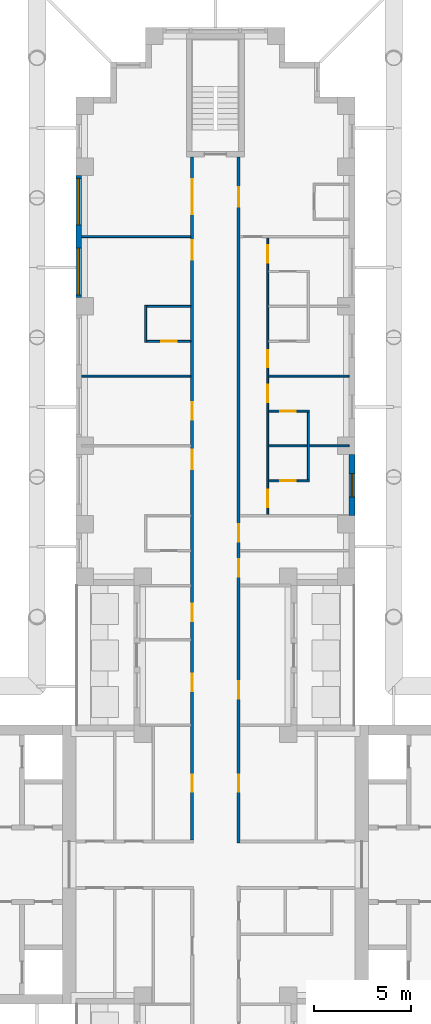
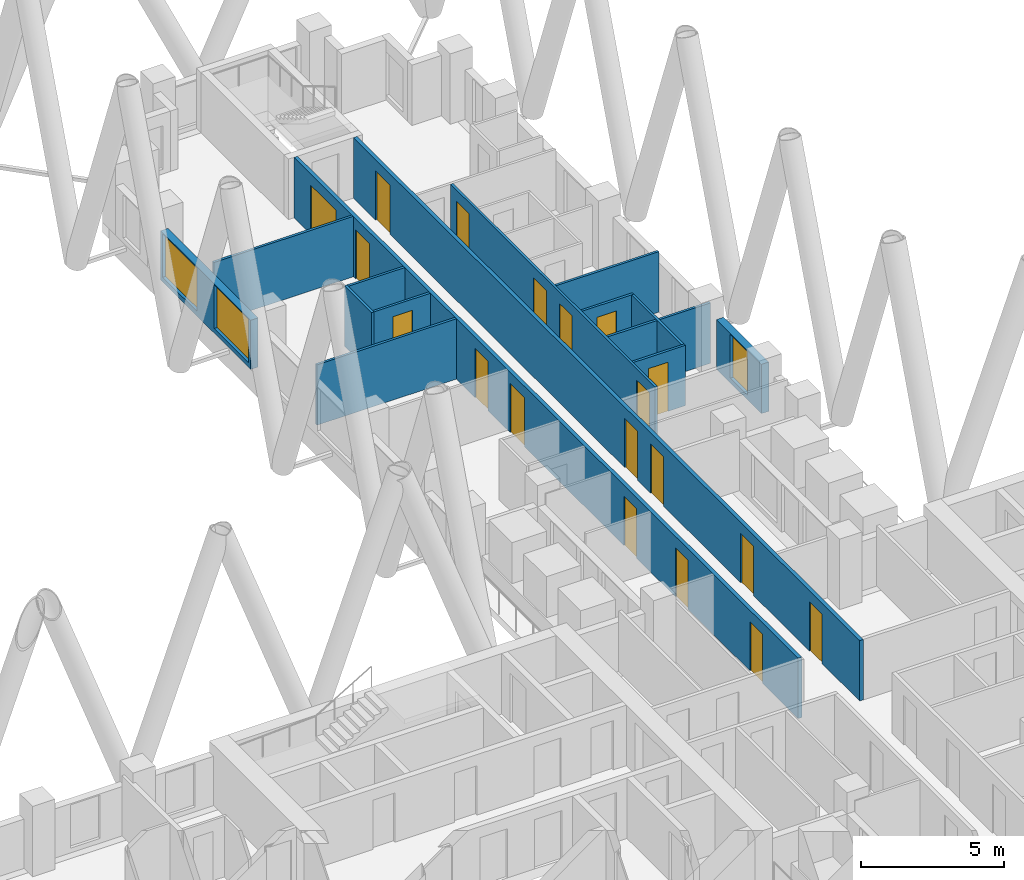
# One storey, part 12 of 17: 19 doors, 15 walls, 3 windows, 22 openings.
"""IFC4 building model written with IfcOpenShell, lengths in metres."""

import ifcopenshell
import ifcopenshell.guid

model = None  # the IFC model being written
_history = None  # IfcOwnerHistory: only IFC2X3 demands one
_inside = {}  # id of a spatial element -> (the spatial element, [elements in it])
_under = {}  # id of a project, library or spatial element -> (it, [spatial elements below it])
_declared = {}  # id of a project -> (the project, [libraries it declares])
_typed = {}  # id of a type object -> (the type object, [elements of that type])
_made_of = {}  # id of a material, layer set ... -> (it, [elements and type objects made of it])


def new_model(schema):
    """Start an empty IFC model of exactly this schema.

    Asked for "IFC4X3", IfcOpenShell would pick the latest addendum, in which some entities
    have other attributes; the version numbers below select the first issue.
    IFC2X3 requires an IfcOwnerHistory on every rooted entity: one is made here for all.
    """
    global model, _history
    if schema == "IFC4X3":
        model = ifcopenshell.file(schema_version=(4, 3, 0, 0))
    else:
        model = ifcopenshell.file(schema=schema)
    _inside.clear()
    _under.clear()
    _declared.clear()
    _typed.clear()
    _made_of.clear()
    _history = None
    if model.schema == "IFC2X3":
        org = make("IfcOrganization", Name="unknown")
        user = make(
            "IfcPersonAndOrganization",
            ThePerson=make("IfcPerson", FamilyName="unknown"),
            TheOrganization=org,
        )
        app = make(
            "IfcApplication",
            ApplicationDeveloper=org,
            Version="unknown",
            ApplicationFullName="unknown",
            ApplicationIdentifier="unknown",
        )
        _history = make(
            "IfcOwnerHistory",
            OwningUser=user,
            OwningApplication=app,
            ChangeAction="ADDED",
            CreationDate=0,
        )
    return model


def make(cls, **values):
    """One entity of the class cls with the attributes given. An attribute that is None is left unset."""
    return model.create_entity(
        cls, **{name: value for name, value in values.items() if value is not None}
    )


def rooted(cls, **values):
    """An entity with a GlobalId (a new one), such as an element, a storey or a relation."""
    return make(cls, GlobalId=ifcopenshell.guid.new(), OwnerHistory=_history, **values)


def si_unit(unit_type, name, prefix=None):
    """IfcSIUnit, for example si_unit("LENGTHUNIT", "METRE", prefix="MILLI")."""
    return make("IfcSIUnit", UnitType=unit_type, Prefix=prefix, Name=name)


def assignment(units):
    """IfcUnitAssignment: the units of a project."""
    return None if units is None else make("IfcUnitAssignment", Units=units)


def point(xyz):
    """IfcCartesianPoint."""
    return None if xyz is None else make("IfcCartesianPoint", Coordinates=xyz)


def direction(xyz):
    """IfcDirection."""
    return None if xyz is None else make("IfcDirection", DirectionRatios=xyz)


def frame(location, z_axis=None, x_axis=None):
    """IfcAxis2Placement3D, a coordinate frame: its origin and axes. An axis left out is left unset."""
    return make(
        "IfcAxis2Placement3D",
        Location=point(location),
        Axis=direction(z_axis),
        RefDirection=direction(x_axis),
    )


def frame_2d(location, x_axis=None):
    """IfcAxis2Placement2D, a coordinate frame in the plane: its origin and x axis."""
    return make(
        "IfcAxis2Placement2D", Location=point(location), RefDirection=direction(x_axis)
    )


def origin():
    """The frame at (0, 0, 0) with its axes left unset."""
    return frame((0.0, 0.0, 0.0))


def place(relative_to, where):
    """IfcLocalPlacement: puts the frame where relative to a parent placement (None: the world)."""
    return make(
        "IfcLocalPlacement", PlacementRelTo=relative_to, RelativePlacement=where
    )


def context(
    kind, dimensions, precision=None, world=None, true_north=None, identifier=None
):
    """IfcGeometricRepresentationContext, for example the 3D "Model" context."""
    return make(
        "IfcGeometricRepresentationContext",
        ContextIdentifier=identifier,
        ContextType=kind,
        CoordinateSpaceDimension=dimensions,
        Precision=precision,
        WorldCoordinateSystem=world,
        TrueNorth=true_north,
    )


def subcontext(parent, identifier, kind, view, scale=None):
    """IfcGeometricRepresentationSubContext, for example "Body" below "Model"."""
    return make(
        "IfcGeometricRepresentationSubContext",
        ContextIdentifier=identifier,
        ContextType=kind,
        ParentContext=parent,
        TargetScale=scale,
        TargetView=view,
    )


def project(units=None, contexts=None):
    """IfcProject with its units and contexts."""
    return rooted(
        "IfcProject",
        Name="project",
        RepresentationContexts=contexts,
        UnitsInContext=assignment(units),
    )


def spatial(cls, under=None, at=None, **own):
    """A site, building, storey or space (cls), placed at a placement, below another one or the project."""
    s = rooted(cls, ObjectPlacement=at, **own)
    if under is not None:
        _under.setdefault(under.id(), (under, []))[1].append(s)
    return s


def profile(cls, at=None, kind="AREA", **sizes):
    """A parametric profile (cls). Its sizes go by their IFC names, for example OverallWidth=200.0."""
    return make(cls, ProfileType=kind, Position=at, **sizes)


def rectangle(**sizes):
    """IfcRectangleProfileDef."""
    return profile("IfcRectangleProfileDef", **sizes)


def extrude(swept, where, along, depth):
    """IfcExtrudedAreaSolid: the profile swept, set in the frame where, extruded along a direction by depth."""
    return make(
        "IfcExtrudedAreaSolid",
        SweptArea=swept,
        Position=where,
        ExtrudedDirection=direction(along),
        Depth=depth,
    )


def shape(context_of_items, identifier, shape_type, items):
    """IfcShapeRepresentation: the items that make up one representation, for example the "Body"."""
    return make(
        "IfcShapeRepresentation",
        ContextOfItems=context_of_items,
        RepresentationIdentifier=identifier,
        RepresentationType=shape_type,
        Items=items,
    )


def material(Name=None, Category=None):
    """IfcMaterial."""
    return make("IfcMaterial", Name=Name, Category=Category)


def layer(
    of_material, thickness, ventilated=None, Name=None, Category=None, Priority=None
):
    """IfcMaterialLayer: one layer of a wall or slab, of a material (None: an air gap)."""
    return make(
        "IfcMaterialLayer",
        Material=of_material,
        LayerThickness=thickness,
        IsVentilated=ventilated,
        Name=Name,
        Category=Category,
        Priority=Priority,
    )


def layer_set(layers, Name=None):
    """IfcMaterialLayerSet."""
    return make("IfcMaterialLayerSet", MaterialLayers=layers, LayerSetName=Name)


def made_of(thing, what):
    """Note that an element or type object is made of a material, layer set ...; save() writes the relation."""
    if what is not None:
        _made_of.setdefault(what.id(), (what, []))[1].append(thing)
    return thing


def type_object(cls, material=None, **own):
    """A type object (cls), such as IfcWallType, which elements share."""
    return made_of(rooted(cls, **own), material)


def element(
    cls,
    number,
    at=None,
    inside=None,
    cuts=None,
    type_object=None,
    material=None,
    context=None,
    identifier="Body",
    shape_type=None,
    held_by="IfcProductDefinitionShape",
    body=None,
    shapes=None,
    **own,
):
    """One element of the class cls, such as IfcWall. Its Tag is "e" and its number.

    at: its placement. inside: the storey or other place that contains it. cuts: it is an
    opening in that element (IfcRelVoidsElement). A single representation is given by context,
    identifier, shape_type and body (its items); several are given by shapes. held_by: the class
    of the entity that holds the representations. save() writes the other relations.
    """
    e = rooted(cls, Tag="e%d" % number, ObjectPlacement=at, **own)
    if body is not None:
        shapes = [shape(context, identifier, shape_type, body)]
    if shapes is not None:
        e.Representation = make(held_by, Representations=shapes)
    if inside is not None:
        _inside.setdefault(inside.id(), (inside, []))[1].append(e)
    if cuts is not None:
        rooted(
            "IfcRelVoidsElement", RelatingBuildingElement=cuts, RelatedOpeningElement=e
        )
    if type_object is not None:
        _typed.setdefault(type_object.id(), (type_object, []))[1].append(e)
    return made_of(e, material)


def fill(opening, filler):
    """IfcRelFillsElement: the door or window that sits in an opening."""
    return rooted(
        "IfcRelFillsElement",
        RelatingOpeningElement=opening,
        RelatedBuildingElement=filler,
    )


def aggregate(whole, parts):
    """IfcRelAggregates: a whole, such as a stair, and the parts it consists of."""
    return rooted("IfcRelAggregates", RelatingObject=whole, RelatedObjects=parts)


def save(model, path):
    """Write the relations noted so far, then the file.

    IfcRelAggregates (storeys below a building ...), IfcRelContainedInSpatialStructure (elements
    in a storey), IfcRelDefinesByType, IfcRelAssociatesMaterial and IfcRelDeclares: one each for
    every whole, place, type object, material and project.
    """
    for whole, parts in _under.values():
        aggregate(whole, parts)
    for where, things in _inside.values():
        rooted(
            "IfcRelContainedInSpatialStructure",
            RelatedElements=things,
            RelatingStructure=where,
        )
    for kind, things in _typed.values():
        rooted("IfcRelDefinesByType", RelatedObjects=things, RelatingType=kind)
    for what, things in _made_of.values():
        rooted("IfcRelAssociatesMaterial", RelatedObjects=things, RelatingMaterial=what)
    for by, libraries in _declared.values():
        rooted("IfcRelDeclares", RelatingContext=by, RelatedDefinitions=libraries)
    model.write(path)


model = new_model("IFC4")

# Units and contexts
model_context = context("Model", 3, precision=1e-05, world=origin(), true_north=direction((0.0, 1.0)))
body_context = subcontext(model_context, "Body", "Model", "MODEL_VIEW")
ifc_project = project(units=[si_unit("LENGTHUNIT", "METRE"), si_unit("AREAUNIT", "SQUARE_METRE"), si_unit("VOLUMEUNIT", "CUBIC_METRE"), si_unit("PLANEANGLEUNIT", "RADIAN"), si_unit("MASSUNIT", "GRAM", prefix="KILO")], contexts=[model_context])

# Site, building, storey
site_placement = place(None, origin())
site = spatial("IfcSite", under=ifc_project, at=site_placement, CompositionType="ELEMENT")
building_placement = place(site_placement, origin())
building = spatial("IfcBuilding", under=site, at=building_placement, Name="Fustian Cross Tower", CompositionType="ELEMENT")
storey_placement = place(building_placement, frame((0.0, 0.0, 56.699951171875)))
storey = spatial("IfcBuildingStorey", under=building, at=storey_placement, Name="L17", CompositionType="ELEMENT", Elevation=56.699951171875)

# Wall, openings, doors
ifc_material_1 = material(Name="Plasterboard on steel stud", Category="steel")
ifc_layer_1 = layer(ifc_material_1, 0.14990234375)
ifc_layer_set_1 = layer_set([ifc_layer_1], Name="Plasterboard on steel stud")
wall_type_1 = type_object("IfcWallType", Name="COMPARTMENT WALL 150 EI 60", PredefinedType="PARTITIONING", material=ifc_layer_set_1)
wall_1_placement = place(storey_placement, frame((-1.199951171875, 1.27490234375, 0.0), z_axis=(0.0, 0.0, 1.0), x_axis=(0.0, 1.0, 0.0)))
wall_1 = element("IfcWall", 1, at=wall_1_placement, inside=storey, type_object=wall_type_1, Name="Partition 47", PredefinedType="PARTITIONING", context=body_context, shape_type="SweptSolid", body=[
    extrude(rectangle(XDim=35.22509765625, YDim=0.14990234375, at=frame_2d((17.612548828125, 0.0))), origin(), (0.0, 0.0, 1.0), 2.574951171875),
])
opening_1_placement = place(wall_1_placement, frame((2.47509765625, 0.0, 0.0)))
opening_1 = element("IfcOpeningElement", 2, at=opening_1_placement, cuts=wall_1, Name="Opening D09003", PredefinedType="OPENING", context=body_context, shape_type="SweptSolid", body=[
    extrude(rectangle(XDim=0.89990234375, YDim=2.10009765625, at=frame_2d((0.449951171875, 1.050048828125))), frame((0.0, 0.0849609375, 0.0), z_axis=(0.0, -1.0, 0.0), x_axis=(1.0, 0.0, 0.0)), (0.0, 0.0, 1.0), 0.169921875),
])
opening_2_placement = place(wall_1_placement, frame((11.27490234375, 0.0, 0.0)))
opening_2 = element("IfcOpeningElement", 3, at=opening_2_placement, cuts=wall_1, Name="Opening D09022", PredefinedType="OPENING", context=body_context, shape_type="SweptSolid", body=[
    extrude(rectangle(XDim=0.89990234375, YDim=2.10009765625, at=frame_2d((0.449951171875, 1.050048828125))), frame((0.0, 0.0849609375, 0.0), z_axis=(0.0, -1.0, 0.0), x_axis=(1.0, 0.0, 0.0)), (0.0, 0.0, 1.0), 0.169921875),
])
opening_3_placement = place(wall_1_placement, frame((7.675048828125, 0.0, 0.0)))
opening_3 = element("IfcOpeningElement", 4, at=opening_3_placement, cuts=wall_1, Name="Opening D09023", PredefinedType="OPENING", context=body_context, shape_type="SweptSolid", body=[
    extrude(rectangle(XDim=0.89990234375, YDim=2.10009765625, at=frame_2d((0.449951171875, 1.050048828125))), frame((0.0, 0.0849609375, 0.0), z_axis=(0.0, -1.0, 0.0), x_axis=(1.0, 0.0, 0.0)), (0.0, 0.0, 1.0), 0.169921875),
])
opening_4_placement = place(wall_1_placement, frame((19.125, 0.0, 0.0)))
opening_4 = element("IfcOpeningElement", 5, at=opening_4_placement, cuts=wall_1, Name="Opening D09025", PredefinedType="OPENING", context=body_context, shape_type="SweptSolid", body=[
    extrude(rectangle(XDim=1.0, YDim=2.10009765625, at=frame_2d((0.5, 1.050048828125))), frame((0.0, 0.0849609375, 0.0), z_axis=(0.0, -1.0, 0.0), x_axis=(1.0, 0.0, 0.0)), (0.0, 0.0, 1.0), 0.169921875),
])
opening_5_placement = place(wall_1_placement, frame((21.675048828125, 0.0, 0.0)))
opening_5 = element("IfcOpeningElement", 6, at=opening_5_placement, cuts=wall_1, Name="Opening D09026", PredefinedType="OPENING", context=body_context, shape_type="SweptSolid", body=[
    extrude(rectangle(XDim=0.89990234375, YDim=2.10009765625, at=frame_2d((0.449951171875, 1.050048828125))), frame((0.0, 0.0849609375, 0.0), z_axis=(0.0, -1.0, 0.0), x_axis=(1.0, 0.0, 0.0)), (0.0, 0.0, 1.0), 0.169921875),
])
opening_6_placement = place(wall_1_placement, frame((29.925048828125, 0.0, 0.0)))
opening_6 = element("IfcOpeningElement", 7, at=opening_6_placement, cuts=wall_1, Name="Opening D09028", PredefinedType="OPENING", context=body_context, shape_type="SweptSolid", body=[
    extrude(rectangle(XDim=1.0, YDim=2.10009765625, at=frame_2d((0.5, 1.050048828125))), frame((0.0, 0.0849609375, 0.0), z_axis=(0.0, -1.0, 0.0), x_axis=(1.0, 0.0, 0.0)), (0.0, 0.0, 1.0), 0.169921875),
])
opening_7_placement = place(wall_1_placement, frame((32.27490234375, 0.0, 0.0)))
opening_7 = element("IfcOpeningElement", 8, at=opening_7_placement, cuts=wall_1, Name="Opening D09029", PredefinedType="OPENING", context=body_context, shape_type="SweptSolid", body=[
    extrude(rectangle(XDim=1.800048828125, YDim=2.10009765625, at=frame_2d((0.89990234375, 1.050048828125))), frame((0.0, 0.0849609375, 0.0), z_axis=(0.0, -1.0, 0.0), x_axis=(1.0, 0.0, 0.0)), (0.0, 0.0, 1.0), 0.169921875),
])
ifc_material_2 = material(Name="Timber fire door set", Category="wood")
door_type_1 = type_object("IfcDoorType", Name="FIRE DOUBLE DOOR 1800 FD30S", OperationType="DOUBLE_DOOR_DOUBLE_SWING", PredefinedType="DOOR", material=ifc_material_2)
door_1_placement = place(opening_7_placement, frame((1.800048828125, 0.0, 0.0), z_axis=(0.0, 0.0, 1.0), x_axis=(-1.0, 0.0, 0.0)))
door_1 = element("IfcDoor", 9, at=door_1_placement, inside=storey, type_object=door_type_1, Name="Door D09029", OperationType="DOUBLE_DOOR_DOUBLE_SWING", OverallHeight=2.10009765625, OverallWidth=1.800048828125, PredefinedType="DOOR", context=body_context, shape_type="SweptSolid", body=[
    extrude(rectangle(XDim=1.800048828125, YDim=2.10009765625, at=frame_2d((0.89990234375, 1.050048828125))), frame((0.0, 0.02490234375, 0.0), z_axis=(0.0, -1.0, 0.0), x_axis=(1.0, 0.0, 0.0)), (0.0, 0.0, 1.0), 0.050048828125),
])
fill(opening_7, door_1)
ifc_material_3 = material(Name="Timber fire door set", Category="wood")
door_type_2 = type_object("IfcDoorType", Name="FIRE SWING DOOR 1000 FD30S", OperationType="SINGLE_SWING_LEFT", PredefinedType="DOOR", material=ifc_material_3)
door_2_placement = place(opening_4_placement, origin())
door_2 = element("IfcDoor", 10, at=door_2_placement, inside=storey, type_object=door_type_2, Name="Door D09025", OperationType="SINGLE_SWING_RIGHT", OverallHeight=2.10009765625, OverallWidth=1.0, PredefinedType="DOOR", context=body_context, shape_type="SweptSolid", body=[
    extrude(rectangle(XDim=1.0, YDim=2.10009765625, at=frame_2d((0.5, 1.050048828125))), frame((0.0, 0.02490234375, 0.0), z_axis=(0.0, -1.0, 0.0), x_axis=(1.0, 0.0, 0.0)), (0.0, 0.0, 1.0), 0.050048828125),
])
fill(opening_4, door_2)
door_3_placement = place(opening_6_placement, origin())
door_3 = element("IfcDoor", 11, at=door_3_placement, inside=storey, type_object=door_type_2, Name="Door D09028", OperationType="SINGLE_SWING_RIGHT", OverallHeight=2.10009765625, OverallWidth=1.0, PredefinedType="DOOR", context=body_context, shape_type="SweptSolid", body=[
    extrude(rectangle(XDim=1.0, YDim=2.10009765625, at=frame_2d((0.5, 1.050048828125))), frame((0.0, 0.02490234375, 0.0), z_axis=(0.0, -1.0, 0.0), x_axis=(1.0, 0.0, 0.0)), (0.0, 0.0, 1.0), 0.050048828125),
])
fill(opening_6, door_3)
ifc_material_4 = material(Name="Timber fire door set", Category="wood")
door_type_3 = type_object("IfcDoorType", Name="FIRE SWING DOOR 900 FD30S", OperationType="SINGLE_SWING_LEFT", PredefinedType="DOOR", material=ifc_material_4)
door_4_placement = place(opening_1_placement, origin())
door_4 = element("IfcDoor", 12, at=door_4_placement, inside=storey, type_object=door_type_3, Name="Door D09003", OperationType="SINGLE_SWING_LEFT", OverallHeight=2.10009765625, OverallWidth=0.89990234375, PredefinedType="DOOR", context=body_context, shape_type="SweptSolid", body=[
    extrude(rectangle(XDim=0.89990234375, YDim=2.10009765625, at=frame_2d((0.449951171875, 1.050048828125))), frame((0.0, 0.02490234375, 0.0), z_axis=(0.0, -1.0, 0.0), x_axis=(1.0, 0.0, 0.0)), (0.0, 0.0, 1.0), 0.050048828125),
])
fill(opening_1, door_4)
door_5_placement = place(opening_2_placement, origin())
door_5 = element("IfcDoor", 13, at=door_5_placement, inside=storey, type_object=door_type_3, Name="Door D09022", OperationType="SINGLE_SWING_LEFT", OverallHeight=2.10009765625, OverallWidth=0.89990234375, PredefinedType="DOOR", context=body_context, shape_type="SweptSolid", body=[
    extrude(rectangle(XDim=0.89990234375, YDim=2.10009765625, at=frame_2d((0.449951171875, 1.050048828125))), frame((0.0, 0.02490234375, 0.0), z_axis=(0.0, -1.0, 0.0), x_axis=(1.0, 0.0, 0.0)), (0.0, 0.0, 1.0), 0.050048828125),
])
fill(opening_2, door_5)
door_6_placement = place(opening_3_placement, origin())
door_6 = element("IfcDoor", 14, at=door_6_placement, inside=storey, type_object=door_type_3, Name="Door D09023", OperationType="SINGLE_SWING_LEFT", OverallHeight=2.10009765625, OverallWidth=0.89990234375, PredefinedType="DOOR", context=body_context, shape_type="SweptSolid", body=[
    extrude(rectangle(XDim=0.89990234375, YDim=2.10009765625, at=frame_2d((0.449951171875, 1.050048828125))), frame((0.0, 0.02490234375, 0.0), z_axis=(0.0, -1.0, 0.0), x_axis=(1.0, 0.0, 0.0)), (0.0, 0.0, 1.0), 0.050048828125),
])
fill(opening_3, door_6)
door_7_placement = place(opening_5_placement, origin())
door_7 = element("IfcDoor", 15, at=door_7_placement, inside=storey, type_object=door_type_3, Name="Door D09026", OperationType="SINGLE_SWING_LEFT", OverallHeight=2.10009765625, OverallWidth=0.89990234375, PredefinedType="DOOR", context=body_context, shape_type="SweptSolid", body=[
    extrude(rectangle(XDim=0.89990234375, YDim=2.10009765625, at=frame_2d((0.449951171875, 1.050048828125))), frame((0.0, 0.02490234375, 0.0), z_axis=(0.0, -1.0, 0.0), x_axis=(1.0, 0.0, 0.0)), (0.0, 0.0, 1.0), 0.050048828125),
])
fill(opening_5, door_7)

wall_2_placement = place(storey_placement, frame((1.199951171875, 1.125, 0.0), z_axis=(0.0, 0.0, 1.0), x_axis=(0.0, 1.0, 0.0)))
wall_2 = element("IfcWall", 16, at=wall_2_placement, inside=storey, type_object=wall_type_1, Name="Partition 57", PredefinedType="PARTITIONING", context=body_context, shape_type="SweptSolid", body=[
    extrude(rectangle(XDim=35.375, YDim=0.14990234375, at=frame_2d((17.6875, 0.0))), origin(), (0.0, 0.0, 1.0), 2.574951171875),
])
opening_8_placement = place(wall_2_placement, frame((2.625, 0.0, 0.0)))
opening_8 = element("IfcOpeningElement", 17, at=opening_8_placement, cuts=wall_2, Name="Opening D09001", PredefinedType="OPENING", context=body_context, shape_type="SweptSolid", body=[
    extrude(rectangle(XDim=0.89990234375, YDim=2.10009765625, at=frame_2d((0.449951171875, 1.050048828125))), frame((0.0, 0.0849609375, 0.0), z_axis=(0.0, -1.0, 0.0), x_axis=(1.0, 0.0, 0.0)), (0.0, 0.0, 1.0), 0.169921875),
])
opening_9_placement = place(wall_2_placement, frame((7.425048828125, 0.0, 0.0)))
opening_9 = element("IfcOpeningElement", 18, at=opening_9_placement, cuts=wall_2, Name="Opening D09030", PredefinedType="OPENING", context=body_context, shape_type="SweptSolid", body=[
    extrude(rectangle(XDim=0.89990234375, YDim=2.10009765625, at=frame_2d((0.449951171875, 1.050048828125))), frame((0.0, 0.0849609375, 0.0), z_axis=(0.0, -1.0, 0.0), x_axis=(1.0, 0.0, 0.0)), (0.0, 0.0, 1.0), 0.169921875),
])
opening_10_placement = place(wall_2_placement, frame((13.72509765625, 0.0, 0.0)))
opening_10 = element("IfcOpeningElement", 19, at=opening_10_placement, cuts=wall_2, Name="Opening D09031", PredefinedType="OPENING", context=body_context, shape_type="SweptSolid", body=[
    extrude(rectangle(XDim=0.89990234375, YDim=2.10009765625, at=frame_2d((0.449951171875, 1.050048828125))), frame((0.0, 0.0849609375, 0.0), z_axis=(0.0, -1.0, 0.0), x_axis=(1.0, 0.0, 0.0)), (0.0, 0.0, 1.0), 0.169921875),
])
opening_11_placement = place(wall_2_placement, frame((15.52490234375, 0.0, 0.0)))
opening_11 = element("IfcOpeningElement", 20, at=opening_11_placement, cuts=wall_2, Name="Opening D09032", PredefinedType="OPENING", context=body_context, shape_type="SweptSolid", body=[
    extrude(rectangle(XDim=0.89990234375, YDim=2.10009765625, at=frame_2d((0.449951171875, 1.050048828125))), frame((0.0, 0.0849609375, 0.0), z_axis=(0.0, -1.0, 0.0), x_axis=(1.0, 0.0, 0.0)), (0.0, 0.0, 1.0), 0.169921875),
])
opening_12_placement = place(wall_2_placement, frame((32.824951171875, 0.0, 0.0)))
opening_12 = element("IfcOpeningElement", 21, at=opening_12_placement, cuts=wall_2, Name="Opening D09034", PredefinedType="OPENING", context=body_context, shape_type="SweptSolid", body=[
    extrude(rectangle(XDim=1.0, YDim=2.10009765625, at=frame_2d((0.5, 1.050048828125))), frame((0.0, 0.0849609375, 0.0), z_axis=(0.0, -1.0, 0.0), x_axis=(1.0, 0.0, 0.0)), (0.0, 0.0, 1.0), 0.169921875),
])
door_8_placement = place(opening_12_placement, frame((1.0, 0.0, 0.0), z_axis=(0.0, 0.0, 1.0), x_axis=(-1.0, 0.0, 0.0)))
door_8 = element("IfcDoor", 22, at=door_8_placement, inside=storey, type_object=door_type_2, Name="Door D09034", OperationType="SINGLE_SWING_RIGHT", OverallHeight=2.10009765625, OverallWidth=1.0, PredefinedType="DOOR", context=body_context, shape_type="SweptSolid", body=[
    extrude(rectangle(XDim=1.0, YDim=2.10009765625, at=frame_2d((0.5, 1.050048828125))), frame((0.0, 0.02490234375, 0.0), z_axis=(0.0, -1.0, 0.0), x_axis=(1.0, 0.0, 0.0)), (0.0, 0.0, 1.0), 0.050048828125),
])
fill(opening_12, door_8)
door_9_placement = place(opening_8_placement, frame((0.89990234375, 0.0, 0.0), z_axis=(0.0, 0.0, 1.0), x_axis=(-1.0, 0.0, 0.0)))
door_9 = element("IfcDoor", 23, at=door_9_placement, inside=storey, type_object=door_type_3, Name="Door D09001", OperationType="SINGLE_SWING_RIGHT", OverallHeight=2.10009765625, OverallWidth=0.89990234375, PredefinedType="DOOR", context=body_context, shape_type="SweptSolid", body=[
    extrude(rectangle(XDim=0.89990234375, YDim=2.10009765625, at=frame_2d((0.449951171875, 1.050048828125))), frame((0.0, 0.02490234375, 0.0), z_axis=(0.0, -1.0, 0.0), x_axis=(1.0, 0.0, 0.0)), (0.0, 0.0, 1.0), 0.050048828125),
])
fill(opening_8, door_9)
door_10_placement = place(opening_9_placement, frame((0.89990234375, 0.0, 0.0), z_axis=(0.0, 0.0, 1.0), x_axis=(-1.0, 0.0, 0.0)))
door_10 = element("IfcDoor", 24, at=door_10_placement, inside=storey, type_object=door_type_3, Name="Door D09030", OperationType="SINGLE_SWING_RIGHT", OverallHeight=2.10009765625, OverallWidth=0.89990234375, PredefinedType="DOOR", context=body_context, shape_type="SweptSolid", body=[
    extrude(rectangle(XDim=0.89990234375, YDim=2.10009765625, at=frame_2d((0.449951171875, 1.050048828125))), frame((0.0, 0.02490234375, 0.0), z_axis=(0.0, -1.0, 0.0), x_axis=(1.0, 0.0, 0.0)), (0.0, 0.0, 1.0), 0.050048828125),
])
fill(opening_9, door_10)
door_11_placement = place(opening_10_placement, frame((0.89990234375, 0.0, 0.0), z_axis=(0.0, 0.0, 1.0), x_axis=(-1.0, 0.0, 0.0)))
door_11 = element("IfcDoor", 25, at=door_11_placement, inside=storey, type_object=door_type_3, Name="Door D09031", OperationType="SINGLE_SWING_LEFT", OverallHeight=2.10009765625, OverallWidth=0.89990234375, PredefinedType="DOOR", context=body_context, shape_type="SweptSolid", body=[
    extrude(rectangle(XDim=0.89990234375, YDim=2.10009765625, at=frame_2d((0.449951171875, 1.050048828125))), frame((0.0, 0.02490234375, 0.0), z_axis=(0.0, -1.0, 0.0), x_axis=(1.0, 0.0, 0.0)), (0.0, 0.0, 1.0), 0.050048828125),
])
fill(opening_10, door_11)
door_12_placement = place(opening_11_placement, frame((0.89990234375, 0.0, 0.0), z_axis=(0.0, 0.0, 1.0), x_axis=(-1.0, 0.0, 0.0)))
door_12 = element("IfcDoor", 26, at=door_12_placement, inside=storey, type_object=door_type_3, Name="Door D09032", OperationType="SINGLE_SWING_LEFT", OverallHeight=2.10009765625, OverallWidth=0.89990234375, PredefinedType="DOOR", context=body_context, shape_type="SweptSolid", body=[
    extrude(rectangle(XDim=0.89990234375, YDim=2.10009765625, at=frame_2d((0.449951171875, 1.050048828125))), frame((0.0, 0.02490234375, 0.0), z_axis=(0.0, -1.0, 0.0), x_axis=(1.0, 0.0, 0.0)), (0.0, 0.0, 1.0), 0.050048828125),
])
fill(opening_11, door_12)

# Walls
ifc_material_5 = material(Name="Plasterboard on steel stud", Category="steel")
ifc_layer_2 = layer(ifc_material_5, 0.10009765625)
ifc_layer_set_2 = layer_set([ifc_layer_2], Name="Plasterboard on steel stud")
wall_type_2 = type_object("IfcWallType", Name="PARTITION 100 STUD", PredefinedType="PARTITIONING", material=ifc_layer_set_2)
for number, where, z_axis, x_axis, name in (
    (27, (-6.89990234375, 25.199951171875, 0.0), (0.0, 0.0, 1.0), (1.0, 0.0, 0.0), "Partition 20"),
    (28, (-6.89990234375, 32.39990234375, 0.0), (0.0, 0.0, 1.0), (1.0, 0.0, 0.0), "Partition 21"),
):
    element("IfcWall", number, at=place(storey_placement, frame(where, z_axis=z_axis, x_axis=x_axis)), inside=storey, type_object=wall_type_2, Name=name, PredefinedType="PARTITIONING", context=body_context, shape_type="SweptSolid", body=[
        extrude(rectangle(XDim=5.625, YDim=0.10009765625, at=frame_2d((2.8125, 0.0))), origin(), (0.0, 0.0, 1.0), 2.574951171875),
    ])
wall_3_placement = place(storey_placement, frame((-3.60009765625, 26.949951171875, 0.0), z_axis=(0.0, 0.0, 1.0), x_axis=(0.0, 1.0, 0.0)))
element("IfcWall", 29, at=wall_3_placement, inside=storey, type_object=wall_type_2, Name="Partition 37", PredefinedType="PARTITIONING", context=body_context, shape_type="SweptSolid", body=[
    extrude(rectangle(XDim=1.900146484375, YDim=0.10009765625, at=frame_2d((0.9501953125, 0.0))), origin(), (0.0, 0.0, 1.0), 2.574951171875),
])

# Wall, opening, door
wall_4_placement = place(storey_placement, frame((-3.550048828125, 27.0, 0.0), z_axis=(0.0, 0.0, 1.0), x_axis=(1.0, 0.0, 0.0)))
wall_4 = element("IfcWall", 30, at=wall_4_placement, inside=storey, type_object=wall_type_2, Name="Partition 38", PredefinedType="PARTITIONING", context=body_context, shape_type="SweptSolid", body=[
    extrude(rectangle(XDim=2.275146484375, YDim=0.10009765625, at=frame_2d((1.1376953125, 0.0))), origin(), (0.0, 0.0, 1.0), 2.574951171875),
])
opening_13_placement = place(wall_4_placement, frame((0.75, 0.0, 0.0)))
opening_13 = element("IfcOpeningElement", 31, at=opening_13_placement, cuts=wall_4, Name="Opening D09027", PredefinedType="OPENING", context=body_context, shape_type="SweptSolid", body=[
    extrude(rectangle(XDim=0.800048828125, YDim=2.10009765625, at=frame_2d((0.39990234375, 1.050048828125))), frame((0.0, 0.06005859375, 0.0), z_axis=(0.0, -1.0, 0.0), x_axis=(1.0, 0.0, 0.0)), (0.0, 0.0, 1.0), 0.1201171875),
])
ifc_material_6 = material(Name="Painted timber", Category="wood")
door_type_4 = type_object("IfcDoorType", Name="SWING DOOR 800", OperationType="SINGLE_SWING_LEFT", PredefinedType="DOOR", material=ifc_material_6)
door_13_placement = place(opening_13_placement, origin())
door_13 = element("IfcDoor", 32, at=door_13_placement, inside=storey, type_object=door_type_4, Name="Door D09027", OperationType="SINGLE_SWING_LEFT", OverallHeight=2.10009765625, OverallWidth=0.800048828125, PredefinedType="DOOR", context=body_context, shape_type="SweptSolid", body=[
    extrude(rectangle(XDim=0.800048828125, YDim=2.10009765625, at=frame_2d((0.39990234375, 1.050048828125))), frame((0.0, 0.02490234375, 0.0), z_axis=(0.0, -1.0, 0.0), x_axis=(1.0, 0.0, 0.0)), (0.0, 0.0, 1.0), 0.050048828125),
])
fill(opening_13, door_13)

# Wall
wall_5_placement = place(storey_placement, frame((-3.550048828125, 28.800048828125, 0.0), z_axis=(0.0, 0.0, 1.0), x_axis=(1.0, 0.0, 0.0)))
element("IfcWall", 33, at=wall_5_placement, inside=storey, type_object=wall_type_2, Name="Partition 39", PredefinedType="PARTITIONING", context=body_context, shape_type="SweptSolid", body=[
    extrude(rectangle(XDim=2.275146484375, YDim=0.10009765625, at=frame_2d((1.1376953125, 0.0))), origin(), (0.0, 0.0, 1.0), 2.574951171875),
])

# Wall, openings, doors
wall_6_placement = place(storey_placement, frame((2.699951171875, 18.074951171875, 0.0), z_axis=(0.0, 0.0, 1.0), x_axis=(0.0, 1.0, 0.0)))
wall_6 = element("IfcWall", 34, at=wall_6_placement, inside=storey, type_object=wall_type_2, Name="Partition 68", PredefinedType="PARTITIONING", context=body_context, shape_type="SweptSolid", body=[
    extrude(rectangle(XDim=14.275146484375, YDim=0.10009765625, at=frame_2d((7.1376953125, 0.0))), origin(), (0.0, 0.0, 1.0), 2.574951171875),
])
opening_14_placement = place(wall_6_placement, frame((0.375, 0.0, 0.0)))
opening_14 = element("IfcOpeningElement", 35, at=opening_14_placement, cuts=wall_6, Name="Opening D09036", PredefinedType="OPENING", context=body_context, shape_type="SweptSolid", body=[
    extrude(rectangle(XDim=0.89990234375, YDim=2.10009765625, at=frame_2d((0.449951171875, 1.050048828125))), frame((0.0, 0.06005859375, 0.0), z_axis=(0.0, -1.0, 0.0), x_axis=(1.0, 0.0, 0.0)), (0.0, 0.0, 1.0), 0.1201171875),
])
opening_15_placement = place(wall_6_placement, frame((5.77490234375, 0.0, 0.0)))
opening_15 = element("IfcOpeningElement", 36, at=opening_15_placement, cuts=wall_6, Name="Opening D09037", PredefinedType="OPENING", context=body_context, shape_type="SweptSolid", body=[
    extrude(rectangle(XDim=0.89990234375, YDim=2.10009765625, at=frame_2d((0.449951171875, 1.050048828125))), frame((0.0, 0.06005859375, 0.0), z_axis=(0.0, -1.0, 0.0), x_axis=(1.0, 0.0, 0.0)), (0.0, 0.0, 1.0), 0.1201171875),
])
opening_16_placement = place(wall_6_placement, frame((7.574951171875, 0.0, 0.0)))
opening_16 = element("IfcOpeningElement", 37, at=opening_16_placement, cuts=wall_6, Name="Opening D09038", PredefinedType="OPENING", context=body_context, shape_type="SweptSolid", body=[
    extrude(rectangle(XDim=0.89990234375, YDim=2.10009765625, at=frame_2d((0.449951171875, 1.050048828125))), frame((0.0, 0.06005859375, 0.0), z_axis=(0.0, -1.0, 0.0), x_axis=(1.0, 0.0, 0.0)), (0.0, 0.0, 1.0), 0.1201171875),
])
opening_17_placement = place(wall_6_placement, frame((12.974853515625, 0.0, 0.0)))
opening_17 = element("IfcOpeningElement", 38, at=opening_17_placement, cuts=wall_6, Name="Opening D09039", PredefinedType="OPENING", context=body_context, shape_type="SweptSolid", body=[
    extrude(rectangle(XDim=0.89990234375, YDim=2.10009765625, at=frame_2d((0.449951171875, 1.050048828125))), frame((0.0, 0.06005859375, 0.0), z_axis=(0.0, -1.0, 0.0), x_axis=(1.0, 0.0, 0.0)), (0.0, 0.0, 1.0), 0.1201171875),
])
ifc_material_7 = material(Name="Painted timber", Category="wood")
door_type_5 = type_object("IfcDoorType", Name="SWING DOOR 900", OperationType="SINGLE_SWING_LEFT", PredefinedType="DOOR", material=ifc_material_7)
door_14_placement = place(opening_14_placement, frame((0.89990234375, 0.0, 0.0), z_axis=(0.0, 0.0, 1.0), x_axis=(-1.0, 0.0, 0.0)))
door_14 = element("IfcDoor", 39, at=door_14_placement, inside=storey, type_object=door_type_5, Name="Door D09036", OperationType="SINGLE_SWING_RIGHT", OverallHeight=2.10009765625, OverallWidth=0.89990234375, PredefinedType="DOOR", context=body_context, shape_type="SweptSolid", body=[
    extrude(rectangle(XDim=0.89990234375, YDim=2.10009765625, at=frame_2d((0.449951171875, 1.050048828125))), frame((0.0, 0.02490234375, 0.0), z_axis=(0.0, -1.0, 0.0), x_axis=(1.0, 0.0, 0.0)), (0.0, 0.0, 1.0), 0.050048828125),
])
fill(opening_14, door_14)
door_15_placement = place(opening_15_placement, frame((0.89990234375, 0.0, 0.0), z_axis=(0.0, 0.0, 1.0), x_axis=(-1.0, 0.0, 0.0)))
door_15 = element("IfcDoor", 40, at=door_15_placement, inside=storey, type_object=door_type_5, Name="Door D09037", OperationType="SINGLE_SWING_RIGHT", OverallHeight=2.10009765625, OverallWidth=0.89990234375, PredefinedType="DOOR", context=body_context, shape_type="SweptSolid", body=[
    extrude(rectangle(XDim=0.89990234375, YDim=2.10009765625, at=frame_2d((0.449951171875, 1.050048828125))), frame((0.0, 0.02490234375, 0.0), z_axis=(0.0, -1.0, 0.0), x_axis=(1.0, 0.0, 0.0)), (0.0, 0.0, 1.0), 0.050048828125),
])
fill(opening_15, door_15)
door_16_placement = place(opening_16_placement, frame((0.89990234375, 0.0, 0.0), z_axis=(0.0, 0.0, 1.0), x_axis=(-1.0, 0.0, 0.0)))
door_16 = element("IfcDoor", 41, at=door_16_placement, inside=storey, type_object=door_type_5, Name="Door D09038", OperationType="SINGLE_SWING_RIGHT", OverallHeight=2.10009765625, OverallWidth=0.89990234375, PredefinedType="DOOR", context=body_context, shape_type="SweptSolid", body=[
    extrude(rectangle(XDim=0.89990234375, YDim=2.10009765625, at=frame_2d((0.449951171875, 1.050048828125))), frame((0.0, 0.02490234375, 0.0), z_axis=(0.0, -1.0, 0.0), x_axis=(1.0, 0.0, 0.0)), (0.0, 0.0, 1.0), 0.050048828125),
])
fill(opening_16, door_16)
door_17_placement = place(opening_17_placement, frame((0.89990234375, 0.0, 0.0), z_axis=(0.0, 0.0, 1.0), x_axis=(-1.0, 0.0, 0.0)))
door_17 = element("IfcDoor", 42, at=door_17_placement, inside=storey, type_object=door_type_5, Name="Door D09039", OperationType="SINGLE_SWING_RIGHT", OverallHeight=2.10009765625, OverallWidth=0.89990234375, PredefinedType="DOOR", context=body_context, shape_type="SweptSolid", body=[
    extrude(rectangle(XDim=0.89990234375, YDim=2.10009765625, at=frame_2d((0.449951171875, 1.050048828125))), frame((0.0, 0.02490234375, 0.0), z_axis=(0.0, -1.0, 0.0), x_axis=(1.0, 0.0, 0.0)), (0.0, 0.0, 1.0), 0.050048828125),
])
fill(opening_17, door_17)

# Wall, opening, door
wall_7_placement = place(storey_placement, frame((2.75, 19.800048828125, 0.0), z_axis=(0.0, 0.0, 1.0), x_axis=(1.0, 0.0, 0.0)))
wall_7 = element("IfcWall", 43, at=wall_7_placement, inside=storey, type_object=wall_type_2, Name="Partition 69", PredefinedType="PARTITIONING", context=body_context, shape_type="SweptSolid", body=[
    extrude(rectangle(XDim=2.10009765625, YDim=0.10009765625, at=frame_2d((1.050048828125, 0.0))), origin(), (0.0, 0.0, 1.0), 2.574951171875),
])
opening_18_placement = place(wall_7_placement, frame((0.60009765625, 0.0, 0.0)))
opening_18 = element("IfcOpeningElement", 44, at=opening_18_placement, cuts=wall_7, Name="Opening D09040", PredefinedType="OPENING", context=body_context, shape_type="SweptSolid", body=[
    extrude(rectangle(XDim=0.800048828125, YDim=2.10009765625, at=frame_2d((0.39990234375, 1.050048828125))), frame((0.0, 0.06005859375, 0.0), z_axis=(0.0, -1.0, 0.0), x_axis=(1.0, 0.0, 0.0)), (0.0, 0.0, 1.0), 0.1201171875),
])
door_18_placement = place(opening_18_placement, origin())
door_18 = element("IfcDoor", 45, at=door_18_placement, inside=storey, type_object=door_type_4, Name="Door D09040", OperationType="SINGLE_SWING_LEFT", OverallHeight=2.10009765625, OverallWidth=0.800048828125, PredefinedType="DOOR", context=body_context, shape_type="SweptSolid", body=[
    extrude(rectangle(XDim=0.800048828125, YDim=2.10009765625, at=frame_2d((0.39990234375, 1.050048828125))), frame((0.0, 0.02490234375, 0.0), z_axis=(0.0, -1.0, 0.0), x_axis=(1.0, 0.0, 0.0)), (0.0, 0.0, 1.0), 0.050048828125),
])
fill(opening_18, door_18)

# Wall
wall_8_placement = place(storey_placement, frame((2.75, 21.60009765625, 0.0), z_axis=(0.0, 0.0, 1.0), x_axis=(1.0, 0.0, 0.0)))
element("IfcWall", 46, at=wall_8_placement, inside=storey, type_object=wall_type_2, Name="Partition 70", PredefinedType="PARTITIONING", context=body_context, shape_type="SweptSolid", body=[
    extrude(rectangle(XDim=4.14990234375, YDim=0.10009765625, at=frame_2d((2.074951171875, 0.0))), origin(), (0.0, 0.0, 1.0), 2.574951171875),
])

# Wall, opening, door
wall_9_placement = place(storey_placement, frame((2.75, 23.39990234375, 0.0), z_axis=(0.0, 0.0, 1.0), x_axis=(1.0, 0.0, 0.0)))
wall_9 = element("IfcWall", 47, at=wall_9_placement, inside=storey, type_object=wall_type_2, Name="Partition 71", PredefinedType="PARTITIONING", context=body_context, shape_type="SweptSolid", body=[
    extrude(rectangle(XDim=2.10009765625, YDim=0.10009765625, at=frame_2d((1.050048828125, 0.0))), origin(), (0.0, 0.0, 1.0), 2.574951171875),
])
opening_19_placement = place(wall_9_placement, frame((0.60009765625, 0.0, 0.0)))
opening_19 = element("IfcOpeningElement", 48, at=opening_19_placement, cuts=wall_9, Name="Opening D09041", PredefinedType="OPENING", context=body_context, shape_type="SweptSolid", body=[
    extrude(rectangle(XDim=0.800048828125, YDim=2.10009765625, at=frame_2d((0.39990234375, 1.050048828125))), frame((0.0, 0.06005859375, 0.0), z_axis=(0.0, -1.0, 0.0), x_axis=(1.0, 0.0, 0.0)), (0.0, 0.0, 1.0), 0.1201171875),
])
door_19_placement = place(opening_19_placement, frame((0.800048828125, 0.0, 0.0), z_axis=(0.0, 0.0, 1.0), x_axis=(-1.0, 0.0, 0.0)))
door_19 = element("IfcDoor", 49, at=door_19_placement, inside=storey, type_object=door_type_4, Name="Door D09041", OperationType="SINGLE_SWING_RIGHT", OverallHeight=2.10009765625, OverallWidth=0.800048828125, PredefinedType="DOOR", context=body_context, shape_type="SweptSolid", body=[
    extrude(rectangle(XDim=0.800048828125, YDim=2.10009765625, at=frame_2d((0.39990234375, 1.050048828125))), frame((0.0, 0.02490234375, 0.0), z_axis=(0.0, -1.0, 0.0), x_axis=(1.0, 0.0, 0.0)), (0.0, 0.0, 1.0), 0.050048828125),
])
fill(opening_19, door_19)

# Walls
wall_10_placement = place(storey_placement, frame((2.75, 25.199951171875, 0.0), z_axis=(0.0, 0.0, 1.0), x_axis=(1.0, 0.0, 0.0)))
element("IfcWall", 50, at=wall_10_placement, inside=storey, type_object=wall_type_2, Name="Partition 72", PredefinedType="PARTITIONING", context=body_context, shape_type="SweptSolid", body=[
    extrude(rectangle(XDim=4.14990234375, YDim=0.10009765625, at=frame_2d((2.074951171875, 0.0))), origin(), (0.0, 0.0, 1.0), 2.574951171875),
])
wall_11_placement = place(storey_placement, frame((4.800048828125, 19.85009765625, 0.0), z_axis=(0.0, 0.0, 1.0), x_axis=(0.0, 1.0, 0.0)))
element("IfcWall", 51, at=wall_11_placement, inside=storey, type_object=wall_type_2, Name="Partition 78", PredefinedType="PARTITIONING", context=body_context, shape_type="SweptSolid", body=[
    extrude(rectangle(XDim=3.5, YDim=0.10009765625, at=frame_2d((1.75, 0.0))), origin(), (0.0, 0.0, 1.0), 2.574951171875),
])

# Wall, opening, window
ifc_material_8 = material(Name="Dark aluminium cladding on insulated backing wall", Category="aluminium")
ifc_layer_3 = layer(ifc_material_8, 0.300048828125)
ifc_layer_set_3 = layer_set([ifc_layer_3], Name="Dark aluminium cladding on insulated backing wall")
wall_type_3 = type_object("IfcWallType", Name="XW1 EXTERNAL WALL 300", PredefinedType="SOLIDWALL", material=ifc_layer_set_3)
wall_12_placement = place(storey_placement, frame((7.050048828125, 18.0, 0.0), z_axis=(0.0, 0.0, 1.0), x_axis=(0.0, 1.0, 0.0)))
wall_12 = element("IfcWall", 52, at=wall_12_placement, inside=storey, type_object=wall_type_3, Name="External wall", PredefinedType="SOLIDWALL", context=body_context, shape_type="SweptSolid", body=[
    extrude(rectangle(XDim=3.14990234375, YDim=0.300048828125, at=frame_2d((1.574951171875, 0.0))), origin(), (0.0, 0.0, 1.0), 2.10009765625),
])
opening_20_placement = place(wall_12_placement, frame((0.97509765625, 0.0, 0.199951171875)))
opening_20 = element("IfcOpeningElement", 53, at=opening_20_placement, cuts=wall_12, Name="Opening WN3", PredefinedType="OPENING", context=body_context, shape_type="SweptSolid", body=[
    extrude(rectangle(XDim=1.199951171875, YDim=1.85009765625, at=frame_2d((0.60009765625, 0.925048828125))), frame((0.0, 0.159912109375, 0.0), z_axis=(0.0, -1.0, 0.0), x_axis=(1.0, 0.0, 0.0)), (0.0, 0.0, 1.0), 0.320068359375),
])
ifc_material_9 = material(Name="Dark anodised aluminium and double glazing", Category="aluminium")
window_type_1 = type_object("IfcWindowType", Name="WN3 WINDOW 1200X1850", PartitioningType="SINGLE_PANEL", PredefinedType="WINDOW", material=ifc_material_9)
window_1_placement = place(opening_20_placement, origin())
window_1 = element("IfcWindow", 54, at=window_1_placement, inside=storey, type_object=window_type_1, Name="Window", OverallHeight=1.85009765625, OverallWidth=1.199951171875, PartitioningType="SINGLE_PANEL", PredefinedType="WINDOW", context=body_context, shape_type="SweptSolid", body=[
    extrude(rectangle(XDim=1.199951171875, YDim=1.85009765625, at=frame_2d((0.60009765625, 0.925048828125))), frame((0.0, 0.030029296875, 0.0), z_axis=(0.0, -1.0, 0.0), x_axis=(1.0, 0.0, 0.0)), (0.0, 0.0, 1.0), 0.06005859375),
])
fill(opening_20, window_1)

# Wall, openings, windows
wall_13_placement = place(storey_placement, frame((-7.050048828125, 35.550048828125, 0.0), z_axis=(0.0, 0.0, 1.0), x_axis=(0.0, -1.0, 0.0)))
wall_13 = element("IfcWall", 55, at=wall_13_placement, inside=storey, type_object=wall_type_3, Name="External wall", PredefinedType="SOLIDWALL", context=body_context, shape_type="SweptSolid", body=[
    extrude(rectangle(XDim=6.300048828125, YDim=0.300048828125, at=frame_2d((3.14990234375, 0.0))), origin(), (0.0, 0.0, 1.0), 2.10009765625),
])
opening_21_placement = place(wall_13_placement, frame((0.14990234375, 0.0, 0.199951171875)))
opening_21 = element("IfcOpeningElement", 56, at=opening_21_placement, cuts=wall_13, Name="Opening WN1", PredefinedType="OPENING", context=body_context, shape_type="SweptSolid", body=[
    extrude(rectangle(XDim=2.39990234375, YDim=1.85009765625, at=frame_2d((1.199951171875, 0.925048828125))), frame((0.0, 0.159912109375, 0.0), z_axis=(0.0, -1.0, 0.0), x_axis=(1.0, 0.0, 0.0)), (0.0, 0.0, 1.0), 0.320068359375),
])
opening_22_placement = place(wall_13_placement, frame((3.75, 0.0, 0.199951171875)))
opening_22 = element("IfcOpeningElement", 57, at=opening_22_placement, cuts=wall_13, Name="Opening WN1", PredefinedType="OPENING", context=body_context, shape_type="SweptSolid", body=[
    extrude(rectangle(XDim=2.39990234375, YDim=1.85009765625, at=frame_2d((1.199951171875, 0.925048828125))), frame((0.0, 0.159912109375, 0.0), z_axis=(0.0, -1.0, 0.0), x_axis=(1.0, 0.0, 0.0)), (0.0, 0.0, 1.0), 0.320068359375),
])
ifc_material_10 = material(Name="Dark anodised aluminium and double glazing", Category="aluminium")
window_type_2 = type_object("IfcWindowType", Name="WN1 WINDOW 2400X1850", PartitioningType="SINGLE_PANEL", PredefinedType="WINDOW", material=ifc_material_10)
window_2_placement = place(opening_21_placement, origin())
window_2 = element("IfcWindow", 58, at=window_2_placement, inside=storey, type_object=window_type_2, Name="Window", OverallHeight=1.85009765625, OverallWidth=2.39990234375, PartitioningType="SINGLE_PANEL", PredefinedType="WINDOW", context=body_context, shape_type="SweptSolid", body=[
    extrude(rectangle(XDim=2.39990234375, YDim=1.85009765625, at=frame_2d((1.199951171875, 0.925048828125))), frame((0.0, 0.030029296875, 0.0), z_axis=(0.0, -1.0, 0.0), x_axis=(1.0, 0.0, 0.0)), (0.0, 0.0, 1.0), 0.06005859375),
])
fill(opening_21, window_2)
window_3_placement = place(opening_22_placement, origin())
window_3 = element("IfcWindow", 59, at=window_3_placement, inside=storey, type_object=window_type_2, Name="Window", OverallHeight=1.85009765625, OverallWidth=2.39990234375, PartitioningType="SINGLE_PANEL", PredefinedType="WINDOW", context=body_context, shape_type="SweptSolid", body=[
    extrude(rectangle(XDim=2.39990234375, YDim=1.85009765625, at=frame_2d((1.199951171875, 0.925048828125))), frame((0.0, 0.030029296875, 0.0), z_axis=(0.0, -1.0, 0.0), x_axis=(1.0, 0.0, 0.0)), (0.0, 0.0, 1.0), 0.06005859375),
])
fill(opening_22, window_3)

save(model, "model.ifc")
